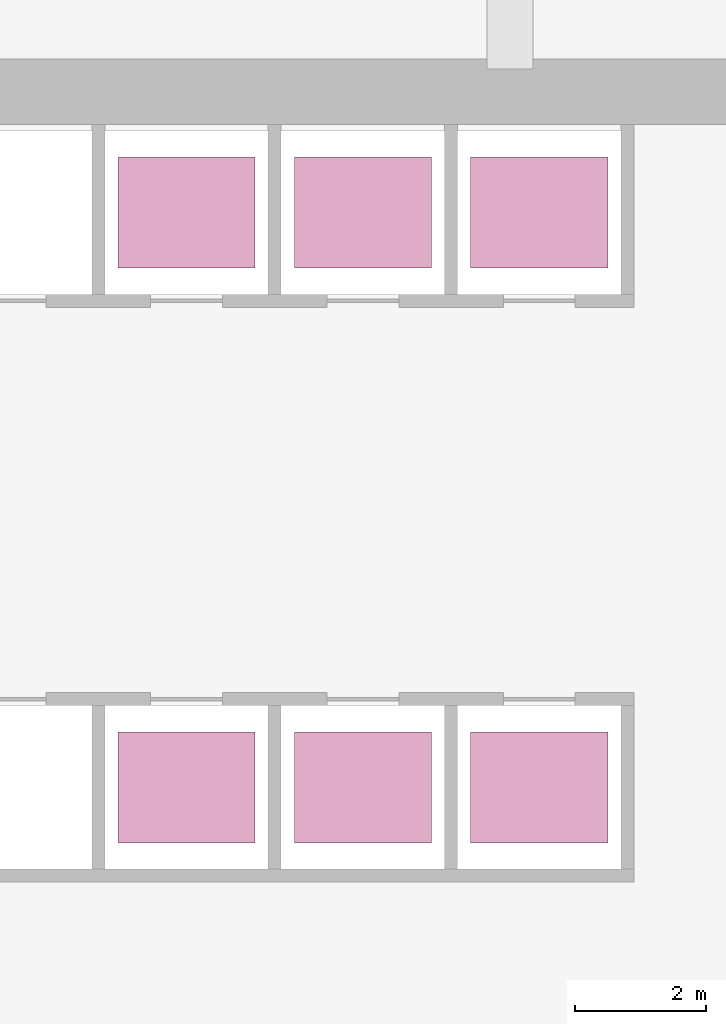
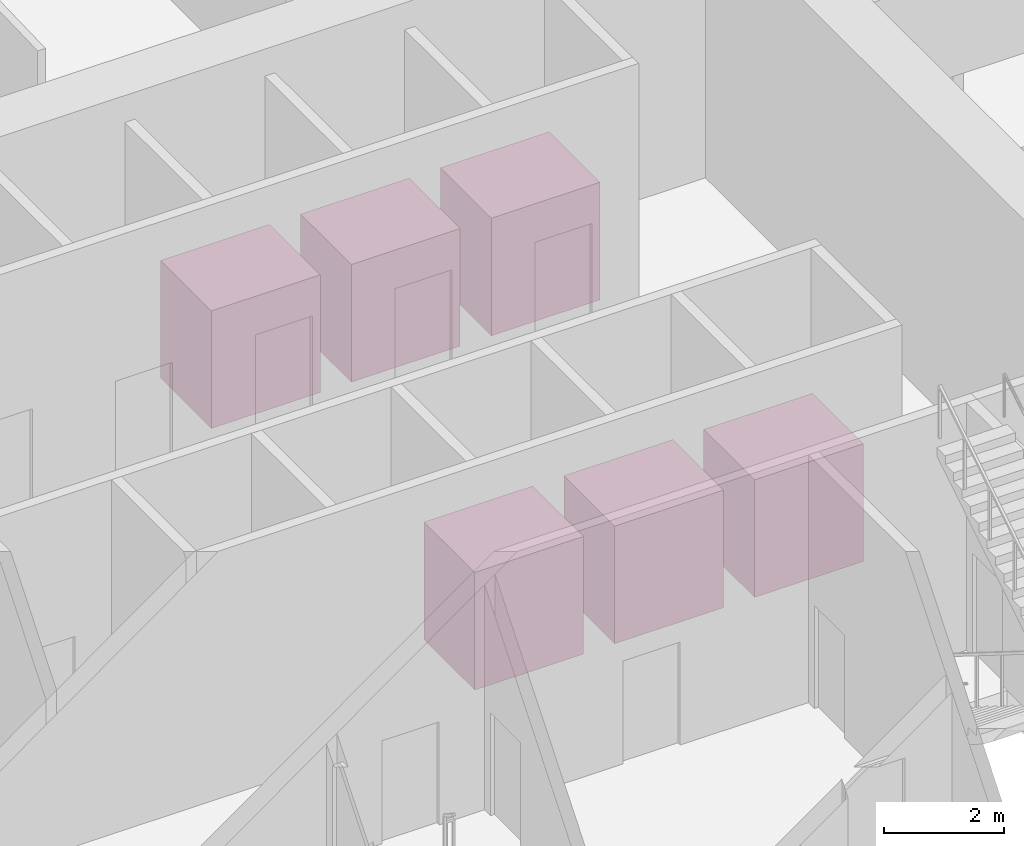
# One storey, part 13 of 13: 6 transport elements.
"""IFC4 building model written with IfcOpenShell, lengths in metres."""

from ifc_helpers import new_model, si_unit, direction, frame, origin, origin_2d, place, context, subcontext, project, spatial, rectangle, extrude, material, type_object, element, save


model = new_model("IFC4")

# Units and contexts
model_context = context("Model", 3, precision=1e-05, world=origin(), true_north=direction((0.0, 1.0)))
body_context = subcontext(model_context, "Body", "Model", "MODEL_VIEW")
ifc_project = project(units=[si_unit("LENGTHUNIT", "METRE"), si_unit("AREAUNIT", "SQUARE_METRE"), si_unit("VOLUMEUNIT", "CUBIC_METRE"), si_unit("PLANEANGLEUNIT", "RADIAN"), si_unit("MASSUNIT", "GRAM", prefix="KILO")], contexts=[model_context])

# Site, building, storey
site_placement = place(None, origin())
site = spatial("IfcSite", under=ifc_project, at=site_placement, CompositionType="ELEMENT")
building_placement = place(site_placement, origin())
building = spatial("IfcBuilding", under=site, at=building_placement, Name="Mangrove Gate Tower", CompositionType="ELEMENT")
storey_placement = place(building_placement, frame((0.0, 0.0, 119.89990234375)))
storey = spatial("IfcBuildingStorey", under=building, at=storey_placement, Name="L30", CompositionType="ELEMENT", Elevation=119.89990234375)

# Transport elements
ifc_material = material(Name="Stainless steel 316", Category="steel")
transport_element_type = type_object("IfcTransportElementType", Name="Passenger lift car 2100x1700", PredefinedType="ELEVATOR", material=ifc_material)
for number, where, z_axis, x_axis, name in (
    (1, (4.050048828125, 0.64990234375, 0.000244140625), (0.0, 0.0, 1.0), (1.0, 0.0, 0.0), "Passenger lift M01"),
    (2, (6.75, 0.64990234375, 0.000244140625), (0.0, 0.0, 1.0), (1.0, 0.0, 0.0), "Passenger lift M02"),
    (3, (9.449951171875, 0.64990234375, 0.000244140625), (0.0, 0.0, 1.0), (1.0, 0.0, 0.0), "Passenger lift M03"),
    (4, (4.050048828125, 9.449951171875, 0.000244140625), (0.0, 0.0, 1.0), (1.0, 0.0, 0.0), "Passenger lift M04"),
    (5, (6.75, 9.449951171875, 0.000244140625), (0.0, 0.0, 1.0), (1.0, 0.0, 0.0), "Passenger lift M05"),
    (6, (9.449951171875, 9.449951171875, 0.000244140625), (0.0, 0.0, 1.0), (1.0, 0.0, 0.0), "Passenger lift M06"),
):
    element("IfcTransportElement", number, at=place(storey_placement, frame(where, z_axis=z_axis, x_axis=x_axis)), inside=storey, type_object=transport_element_type, Name=name, PredefinedType="ELEVATOR", context=body_context, shape_type="SweptSolid", body=[
        extrude(rectangle(XDim=2.10009765625, YDim=1.699951171875, at=origin_2d()), origin(), (0.0, 0.0, 1.0), 2.39990234375),
    ])

save(model, "model.ifc")
